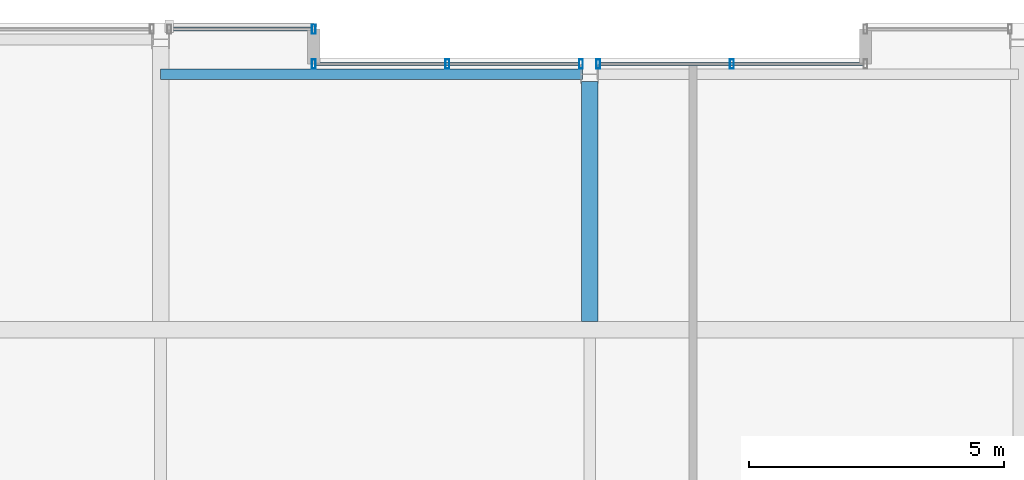
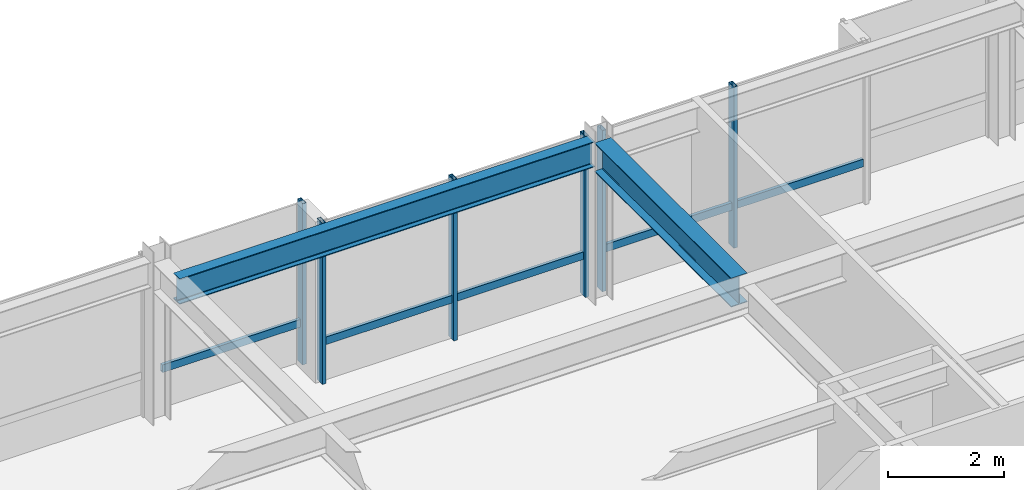
# One storey, part 23 of 33: 9 members, 2 beams, 3 elements without a shape of their own.
"""IFC4 building model written with IfcOpenShell, lengths in metres."""

import ifcopenshell
import ifcopenshell.guid

model = None  # the IFC model being written
_history = None  # IfcOwnerHistory: only IFC2X3 demands one
_inside = {}  # id of a spatial element -> (the spatial element, [elements in it])
_under = {}  # id of a project, library or spatial element -> (it, [spatial elements below it])
_declared = {}  # id of a project -> (the project, [libraries it declares])
_typed = {}  # id of a type object -> (the type object, [elements of that type])
_made_of = {}  # id of a material, layer set ... -> (it, [elements and type objects made of it])


def new_model(schema):
    """Start an empty IFC model of exactly this schema.

    Asked for "IFC4X3", IfcOpenShell would pick the latest addendum, in which some entities
    have other attributes; the version numbers below select the first issue.
    IFC2X3 requires an IfcOwnerHistory on every rooted entity: one is made here for all.
    """
    global model, _history
    if schema == "IFC4X3":
        model = ifcopenshell.file(schema_version=(4, 3, 0, 0))
    else:
        model = ifcopenshell.file(schema=schema)
    _inside.clear()
    _under.clear()
    _declared.clear()
    _typed.clear()
    _made_of.clear()
    _history = None
    if model.schema == "IFC2X3":
        org = make("IfcOrganization", Name="unknown")
        user = make(
            "IfcPersonAndOrganization",
            ThePerson=make("IfcPerson", FamilyName="unknown"),
            TheOrganization=org,
        )
        app = make(
            "IfcApplication",
            ApplicationDeveloper=org,
            Version="unknown",
            ApplicationFullName="unknown",
            ApplicationIdentifier="unknown",
        )
        _history = make(
            "IfcOwnerHistory",
            OwningUser=user,
            OwningApplication=app,
            ChangeAction="ADDED",
            CreationDate=0,
        )
    return model


def make(cls, **values):
    """One entity of the class cls with the attributes given. An attribute that is None is left unset."""
    return model.create_entity(
        cls, **{name: value for name, value in values.items() if value is not None}
    )


def rooted(cls, **values):
    """An entity with a GlobalId (a new one), such as an element, a storey or a relation."""
    return make(cls, GlobalId=ifcopenshell.guid.new(), OwnerHistory=_history, **values)


def si_unit(unit_type, name, prefix=None):
    """IfcSIUnit, for example si_unit("LENGTHUNIT", "METRE", prefix="MILLI")."""
    return make("IfcSIUnit", UnitType=unit_type, Prefix=prefix, Name=name)


def assignment(units):
    """IfcUnitAssignment: the units of a project."""
    return None if units is None else make("IfcUnitAssignment", Units=units)


def point(xyz):
    """IfcCartesianPoint."""
    return None if xyz is None else make("IfcCartesianPoint", Coordinates=xyz)


def direction(xyz):
    """IfcDirection."""
    return None if xyz is None else make("IfcDirection", DirectionRatios=xyz)


def frame(location, z_axis=None, x_axis=None):
    """IfcAxis2Placement3D, a coordinate frame: its origin and axes. An axis left out is left unset."""
    return make(
        "IfcAxis2Placement3D",
        Location=point(location),
        Axis=direction(z_axis),
        RefDirection=direction(x_axis),
    )


def frame_2d(location, x_axis=None):
    """IfcAxis2Placement2D, a coordinate frame in the plane: its origin and x axis."""
    return make(
        "IfcAxis2Placement2D", Location=point(location), RefDirection=direction(x_axis)
    )


def origin():
    """The frame at (0, 0, 0) with its axes left unset."""
    return frame((0.0, 0.0, 0.0))


def origin_2d():
    """The frame at (0, 0) in the plane with its x axis left unset."""
    return frame_2d((0.0, 0.0))


def place(relative_to, where):
    """IfcLocalPlacement: puts the frame where relative to a parent placement (None: the world)."""
    return make(
        "IfcLocalPlacement", PlacementRelTo=relative_to, RelativePlacement=where
    )


def context(
    kind, dimensions, precision=None, world=None, true_north=None, identifier=None
):
    """IfcGeometricRepresentationContext, for example the 3D "Model" context."""
    return make(
        "IfcGeometricRepresentationContext",
        ContextIdentifier=identifier,
        ContextType=kind,
        CoordinateSpaceDimension=dimensions,
        Precision=precision,
        WorldCoordinateSystem=world,
        TrueNorth=true_north,
    )


def subcontext(parent, identifier, kind, view, scale=None):
    """IfcGeometricRepresentationSubContext, for example "Body" below "Model"."""
    return make(
        "IfcGeometricRepresentationSubContext",
        ContextIdentifier=identifier,
        ContextType=kind,
        ParentContext=parent,
        TargetScale=scale,
        TargetView=view,
    )


def project(units=None, contexts=None):
    """IfcProject with its units and contexts."""
    return rooted(
        "IfcProject",
        Name="project",
        RepresentationContexts=contexts,
        UnitsInContext=assignment(units),
    )


def spatial(cls, under=None, at=None, **own):
    """A site, building, storey or space (cls), placed at a placement, below another one or the project."""
    s = rooted(cls, ObjectPlacement=at, **own)
    if under is not None:
        _under.setdefault(under.id(), (under, []))[1].append(s)
    return s


def profile(cls, at=None, kind="AREA", **sizes):
    """A parametric profile (cls). Its sizes go by their IFC names, for example OverallWidth=200.0."""
    return make(cls, ProfileType=kind, Position=at, **sizes)


def hollow_rectangle(**sizes):
    """IfcRectangleHollowProfileDef."""
    return profile("IfcRectangleHollowProfileDef", **sizes)


def i_section(**sizes):
    """IfcIShapeProfileDef."""
    return profile("IfcIShapeProfileDef", **sizes)


def extrude(swept, where, along, depth):
    """IfcExtrudedAreaSolid: the profile swept, set in the frame where, extruded along a direction by depth."""
    return make(
        "IfcExtrudedAreaSolid",
        SweptArea=swept,
        Position=where,
        ExtrudedDirection=direction(along),
        Depth=depth,
    )


def shape(context_of_items, identifier, shape_type, items):
    """IfcShapeRepresentation: the items that make up one representation, for example the "Body"."""
    return make(
        "IfcShapeRepresentation",
        ContextOfItems=context_of_items,
        RepresentationIdentifier=identifier,
        RepresentationType=shape_type,
        Items=items,
    )


def material(Name=None, Category=None):
    """IfcMaterial."""
    return make("IfcMaterial", Name=Name, Category=Category)


def layer(
    of_material, thickness, ventilated=None, Name=None, Category=None, Priority=None
):
    """IfcMaterialLayer: one layer of a wall or slab, of a material (None: an air gap)."""
    return make(
        "IfcMaterialLayer",
        Material=of_material,
        LayerThickness=thickness,
        IsVentilated=ventilated,
        Name=Name,
        Category=Category,
        Priority=Priority,
    )


def layer_set(layers, Name=None):
    """IfcMaterialLayerSet."""
    return make("IfcMaterialLayerSet", MaterialLayers=layers, LayerSetName=Name)


def material_profile(
    of_material, cross_section, Name=None, Category=None, Priority=None
):
    """IfcMaterialProfile: a cross section and its material."""
    return make(
        "IfcMaterialProfile",
        Name=Name,
        Material=of_material,
        Profile=cross_section,
        Priority=Priority,
        Category=Category,
    )


def profile_set(profiles, Name=None, composite=None):
    """IfcMaterialProfileSet."""
    return make(
        "IfcMaterialProfileSet",
        Name=Name,
        MaterialProfiles=profiles,
        CompositeProfile=composite,
    )


def made_of(thing, what):
    """Note that an element or type object is made of a material, layer set ...; save() writes the relation."""
    if what is not None:
        _made_of.setdefault(what.id(), (what, []))[1].append(thing)
    return thing


def type_object(cls, material=None, **own):
    """A type object (cls), such as IfcWallType, which elements share."""
    return made_of(rooted(cls, **own), material)


def element(
    cls,
    number,
    at=None,
    inside=None,
    cuts=None,
    type_object=None,
    material=None,
    context=None,
    identifier="Body",
    shape_type=None,
    held_by="IfcProductDefinitionShape",
    body=None,
    shapes=None,
    **own,
):
    """One element of the class cls, such as IfcWall. Its Tag is "e" and its number.

    at: its placement. inside: the storey or other place that contains it. cuts: it is an
    opening in that element (IfcRelVoidsElement). A single representation is given by context,
    identifier, shape_type and body (its items); several are given by shapes. held_by: the class
    of the entity that holds the representations. save() writes the other relations.
    """
    e = rooted(cls, Tag="e%d" % number, ObjectPlacement=at, **own)
    if body is not None:
        shapes = [shape(context, identifier, shape_type, body)]
    if shapes is not None:
        e.Representation = make(held_by, Representations=shapes)
    if inside is not None:
        _inside.setdefault(inside.id(), (inside, []))[1].append(e)
    if cuts is not None:
        rooted(
            "IfcRelVoidsElement", RelatingBuildingElement=cuts, RelatedOpeningElement=e
        )
    if type_object is not None:
        _typed.setdefault(type_object.id(), (type_object, []))[1].append(e)
    return made_of(e, material)


def aggregate(whole, parts):
    """IfcRelAggregates: a whole, such as a stair, and the parts it consists of."""
    return rooted("IfcRelAggregates", RelatingObject=whole, RelatedObjects=parts)


def save(model, path):
    """Write the relations noted so far, then the file.

    IfcRelAggregates (storeys below a building ...), IfcRelContainedInSpatialStructure (elements
    in a storey), IfcRelDefinesByType, IfcRelAssociatesMaterial and IfcRelDeclares: one each for
    every whole, place, type object, material and project.
    """
    for whole, parts in _under.values():
        aggregate(whole, parts)
    for where, things in _inside.values():
        rooted(
            "IfcRelContainedInSpatialStructure",
            RelatedElements=things,
            RelatingStructure=where,
        )
    for kind, things in _typed.values():
        rooted("IfcRelDefinesByType", RelatedObjects=things, RelatingType=kind)
    for what, things in _made_of.values():
        rooted("IfcRelAssociatesMaterial", RelatedObjects=things, RelatingMaterial=what)
    for by, libraries in _declared.values():
        rooted("IfcRelDeclares", RelatingContext=by, RelatedDefinitions=libraries)
    model.write(path)


model = new_model("IFC4")

# Units and contexts
model_context = context("Model", 3, precision=1e-05, world=origin(), true_north=direction((0.0, 1.0)))
body_context = subcontext(model_context, "Body", "Model", "MODEL_VIEW")
ifc_project = project(units=[si_unit("LENGTHUNIT", "METRE"), si_unit("AREAUNIT", "SQUARE_METRE"), si_unit("VOLUMEUNIT", "CUBIC_METRE"), si_unit("PLANEANGLEUNIT", "RADIAN"), si_unit("MASSUNIT", "GRAM", prefix="KILO")], contexts=[model_context])

# Site, building, storey
site_placement = place(None, origin())
site = spatial("IfcSite", under=ifc_project, at=site_placement, CompositionType="ELEMENT")
building_placement = place(site_placement, origin())
building = spatial("IfcBuilding", under=site, at=building_placement, Name="Drelvath Grand Hotel", CompositionType="ELEMENT")
storey_placement = place(building_placement, frame((0.0, 0.0, 275.949951171875)))
storey = spatial("IfcBuildingStorey", under=building, at=storey_placement, Name="L72", CompositionType="ELEMENT", Elevation=275.949951171875)

# Curtain wall, member
ifc_material_1 = material(Name="Platinum-Mist Anodised Aluminium Frame", Category="aluminium")
ifc_layer = layer(ifc_material_1, 0.199951171875)
ifc_layer_set = layer_set([ifc_layer], Name="Platinum-Mist Anodised Aluminium Frame")
curtain_wall_type = type_object("IfcCurtainWallType", Name="Stick Curtain Wall CW-05 Platinum Mist High-Rise", PredefinedType="NOTDEFINED", material=ifc_layer_set)
curtain_wall_1_placement = place(storey_placement, origin())
curtain_wall_1 = element("IfcCurtainWall", 1, at=curtain_wall_1_placement, inside=storey, type_object=curtain_wall_type, Name="L72 CW-05 Curtain Wall CW05-L72-NW2", PredefinedType="NOTDEFINED")
ifc_material_profile_1 = material_profile(ifc_material_1, hollow_rectangle(XDim=0.06494140625, YDim=0.159912109375, WallThickness=0.00390625, at=origin_2d()), Name="HSS160X65X4")
ifc_profile_set_1 = profile_set([ifc_material_profile_1], Name="Platinum-Mist Anodised Aluminium Frame")
member_type_1 = type_object("IfcMemberType", Name="Curtain Wall Horizontal Transom CW-05 HSS160X65X4", PredefinedType="USERDEFINED", material=ifc_profile_set_1)
member_1_placement = place(storey_placement, frame((-8.18994140625, 49.080078125, 0.84765625), z_axis=(1.0, 0.0, 0.0), x_axis=(0.0, 1.0, 0.0)))
member_1 = element("IfcMember", 2, at=member_1_placement, type_object=member_type_1, Name="CW05-L72-NW2 Sill Transom", ObjectType="TRANSOM", PredefinedType="USERDEFINED", context=body_context, shape_type="SweptSolid", body=[
    extrude(hollow_rectangle(XDim=0.06494140625, YDim=0.159912109375, WallThickness=0.00390625, at=origin_2d()), origin(), (0.0, 0.0, 1.0), 2.75),
])

curtain_wall_2_placement = place(storey_placement, origin())
curtain_wall_2 = element("IfcCurtainWall", 3, at=curtain_wall_2_placement, inside=storey, type_object=curtain_wall_type, Name="L72 CW-05 Curtain Wall CW05-L72-NM1", PredefinedType="NOTDEFINED")
member_2_placement = place(storey_placement, frame((-5.360107421875, 48.39990234375, 0.84765625), z_axis=(1.0, 0.0, 0.0), x_axis=(0.0, 1.0, 0.0)))
member_2 = element("IfcMember", 4, at=member_2_placement, type_object=member_type_1, Name="CW05-L72-NM1 Sill Transom", ObjectType="TRANSOM", PredefinedType="USERDEFINED", context=body_context, shape_type="SweptSolid", body=[
    extrude(hollow_rectangle(XDim=0.06494140625, YDim=0.159912109375, WallThickness=0.00390625, at=origin_2d()), origin(), (0.0, 0.0, 1.0), 5.14990234375),
])

curtain_wall_3_placement = place(storey_placement, origin())
curtain_wall_3 = element("IfcCurtainWall", 5, at=curtain_wall_3_placement, inside=storey, type_object=curtain_wall_type, Name="L72 CW-05 Curtain Wall CW05-L72-NM2", PredefinedType="NOTDEFINED")
member_3_placement = place(storey_placement, frame((0.210205078125, 48.39990234375, 0.84765625), z_axis=(1.0, 0.0, 0.0), x_axis=(0.0, 1.0, 0.0)))
member_3 = element("IfcMember", 6, at=member_3_placement, type_object=member_type_1, Name="CW05-L72-NM2 Sill Transom", ObjectType="TRANSOM", PredefinedType="USERDEFINED", context=body_context, shape_type="SweptSolid", body=[
    extrude(hollow_rectangle(XDim=0.06494140625, YDim=0.159912109375, WallThickness=0.00390625, at=origin_2d()), origin(), (0.0, 0.0, 1.0), 5.14990234375),
])

# Member
ifc_material_profile_2 = material_profile(ifc_material_1, hollow_rectangle(XDim=0.074951171875, YDim=0.179931640625, WallThickness=0.0048828125, at=origin_2d()), Name="HSS180X75X5")
ifc_profile_set_2 = profile_set([ifc_material_profile_2], Name="Platinum-Mist Anodised Aluminium Frame")
member_type_2 = type_object("IfcMemberType", Name="Curtain Wall Vertical Mullion CW-05 HSS180X75X5", PredefinedType="MULLION", material=ifc_profile_set_2)
member_4_placement = place(storey_placement, frame((-5.39990234375, 49.080078125, 0.0), z_axis=(0.0, 0.0, 1.0), x_axis=(1.0, 0.0, 0.0)))
member_4 = element("IfcMember", 7, at=member_4_placement, type_object=member_type_2, Name="CW05-L72-NW2 Mullion 2", PredefinedType="MULLION", context=body_context, shape_type="SweptSolid", body=[
    extrude(hollow_rectangle(XDim=0.074951171875, YDim=0.179931640625, WallThickness=0.0048828125, at=origin_2d()), origin(), (0.0, 0.0, 1.0), 3.39013671875),
])

aggregate(curtain_wall_1, [member_4, member_1])

member_5_placement = place(storey_placement, frame((-5.39990234375, 48.39990234375, 0.0), z_axis=(0.0, 0.0, 1.0), x_axis=(1.0, 0.0, 0.0)))
member_5 = element("IfcMember", 8, at=member_5_placement, type_object=member_type_2, Name="CW05-L72-NM1 Mullion 1", PredefinedType="MULLION", context=body_context, shape_type="SweptSolid", body=[
    extrude(hollow_rectangle(XDim=0.074951171875, YDim=0.179931640625, WallThickness=0.0048828125, at=origin_2d()), origin(), (0.0, 0.0, 1.0), 3.39013671875),
])

member_6_placement = place(storey_placement, frame((-2.78515625, 48.39990234375, 0.0), z_axis=(0.0, 0.0, 1.0), x_axis=(1.0, 0.0, 0.0)))
member_6 = element("IfcMember", 9, at=member_6_placement, type_object=member_type_2, Name="CW05-L72-NM1 Mullion 2", PredefinedType="MULLION", context=body_context, shape_type="SweptSolid", body=[
    extrude(hollow_rectangle(XDim=0.074951171875, YDim=0.179931640625, WallThickness=0.0048828125, at=origin_2d()), origin(), (0.0, 0.0, 1.0), 3.39013671875),
])

member_7_placement = place(storey_placement, frame((-0.170166015625, 48.39990234375, 0.0), z_axis=(0.0, 0.0, 1.0), x_axis=(1.0, 0.0, 0.0)))
member_7 = element("IfcMember", 10, at=member_7_placement, type_object=member_type_2, Name="CW05-L72-NM1 Mullion 3", PredefinedType="MULLION", context=body_context, shape_type="SweptSolid", body=[
    extrude(hollow_rectangle(XDim=0.074951171875, YDim=0.179931640625, WallThickness=0.0048828125, at=origin_2d()), origin(), (0.0, 0.0, 1.0), 3.39013671875),
])

aggregate(curtain_wall_2, [member_5, member_6, member_7, member_2])

member_8_placement = place(storey_placement, frame((0.170166015625, 48.39990234375, 0.0), z_axis=(0.0, 0.0, 1.0), x_axis=(1.0, 0.0, 0.0)))
member_8 = element("IfcMember", 11, at=member_8_placement, type_object=member_type_2, Name="CW05-L72-NM2 Mullion 1", PredefinedType="MULLION", context=body_context, shape_type="SweptSolid", body=[
    extrude(hollow_rectangle(XDim=0.074951171875, YDim=0.179931640625, WallThickness=0.0048828125, at=origin_2d()), origin(), (0.0, 0.0, 1.0), 3.39013671875),
])

member_9_placement = place(storey_placement, frame((2.78515625, 48.39990234375, 0.0), z_axis=(0.0, 0.0, 1.0), x_axis=(1.0, 0.0, 0.0)))
member_9 = element("IfcMember", 12, at=member_9_placement, type_object=member_type_2, Name="CW05-L72-NM2 Mullion 2", PredefinedType="MULLION", context=body_context, shape_type="SweptSolid", body=[
    extrude(hollow_rectangle(XDim=0.074951171875, YDim=0.179931640625, WallThickness=0.0048828125, at=origin_2d()), origin(), (0.0, 0.0, 1.0), 3.39013671875),
])

aggregate(curtain_wall_3, [member_8, member_9, member_3])

# Beams
ifc_material_2 = material(Name="Steel ASTM A992 Gr 50", Category="steel")
ifc_material_profile_3 = material_profile(ifc_material_2, i_section(OverallWidth=0.210205078125, OverallDepth=0.53662109375, WebThickness=0.010986328125, FlangeThickness=0.017333984375, FilletRadius=0.01806640625, at=origin_2d()), Name="W21X68")
ifc_profile_set_3 = profile_set([ifc_material_profile_3], Name="Steel ASTM A992 Gr 50")
beam_type_1 = type_object("IfcBeamType", Name="Perimeter Spandrel Beam W21X68", PredefinedType="SPANDREL", material=ifc_profile_set_3)
beam_1_placement = place(storey_placement, frame((-8.39990234375, 48.199951171875, 3.12158203125), z_axis=(1.0, 0.0, 0.0), x_axis=(0.0, 1.0, 0.0)))
element("IfcBeam", 13, at=beam_1_placement, inside=storey, type_object=beam_type_1, Name="L72 Spandrel North Mid W", PredefinedType="SPANDREL", context=body_context, shape_type="SweptSolid", body=[
    extrude(i_section(OverallWidth=0.210205078125, OverallDepth=0.53662109375, WebThickness=0.010986328125, FlangeThickness=0.017333984375, FilletRadius=0.01806640625, at=origin_2d()), origin(), (0.0, 0.0, 1.0), 8.260009765625),
])
ifc_material_profile_4 = material_profile(ifc_material_2, i_section(OverallWidth=0.323974609375, OverallDepth=0.611083984375, WebThickness=0.0126953125, FlangeThickness=0.01904296875, FilletRadius=0.02197265625, at=origin_2d()), Name="W24X104")
ifc_profile_set_4 = profile_set([ifc_material_profile_4], Name="Steel ASTM A992 Gr 50")
beam_type_2 = type_object("IfcBeamType", Name="Primary Floor Girder W24X104", PredefinedType="BEAM", material=ifc_profile_set_4)
beam_2_placement = place(storey_placement, frame((0.0, 43.362060546875, 3.08447265625), z_axis=(0.0, 1.0, 0.0), x_axis=(-1.0, 0.0, 0.0)))
element("IfcBeam", 14, at=beam_2_placement, inside=storey, type_object=beam_type_2, Name="L72 North Wing Girder 5", PredefinedType="BEAM", context=body_context, shape_type="SweptSolid", body=[
    extrude(i_section(OverallWidth=0.323974609375, OverallDepth=0.611083984375, WebThickness=0.0126953125, FlangeThickness=0.01904296875, FilletRadius=0.02197265625, at=origin_2d()), origin(), (0.0, 0.0, 1.0), 4.697998046875),
])

save(model, "model.ifc")
